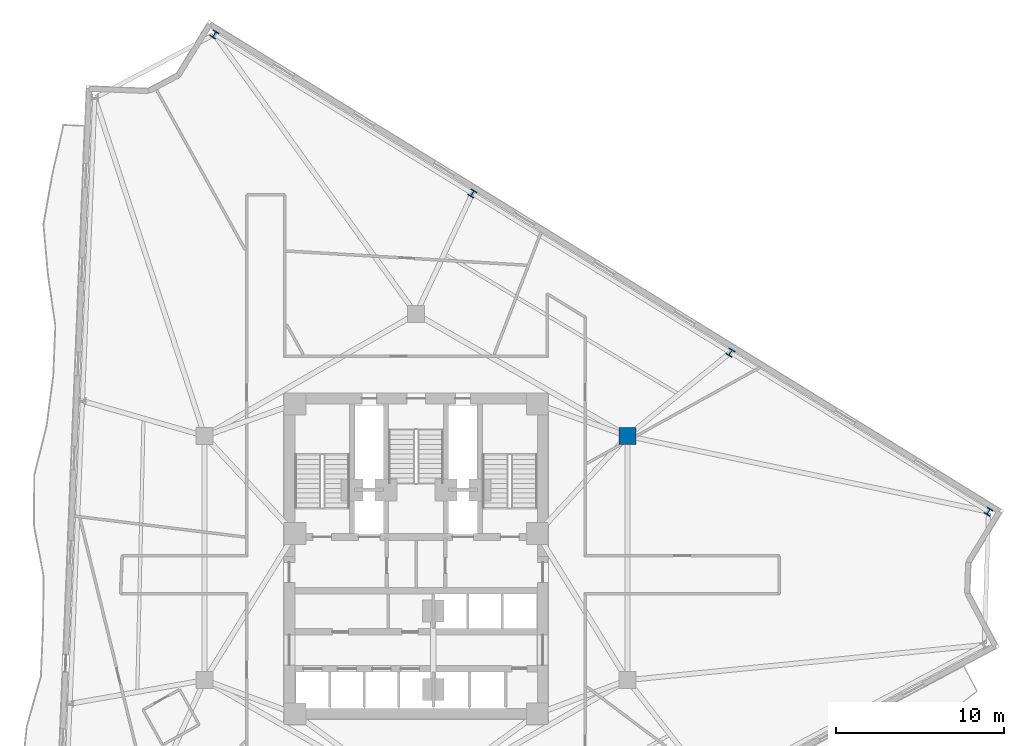
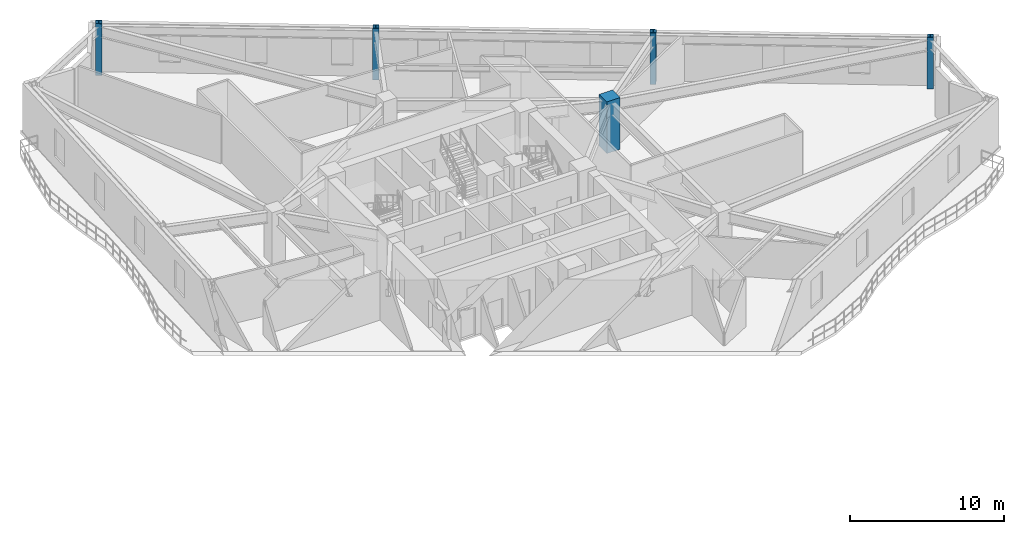
# One storey, part 2 of 11: 5 columns.
"""IFC4 building model written with IfcOpenShell, lengths in metres."""

from ifc_helpers import new_model, si_unit, direction, frame, origin, origin_2d, place, context, subcontext, project, spatial, rectangle, i_section, extrude, material, material_profile, profile_set, type_object, element, save


model = new_model("IFC4")

# Units and contexts
model_context = context("Model", 3, precision=1e-05, world=origin(), true_north=direction((0.0, 1.0)))
body_context = subcontext(model_context, "Body", "Model", "MODEL_VIEW")
ifc_project = project(units=[si_unit("LENGTHUNIT", "METRE"), si_unit("AREAUNIT", "SQUARE_METRE"), si_unit("VOLUMEUNIT", "CUBIC_METRE"), si_unit("PLANEANGLEUNIT", "RADIAN"), si_unit("MASSUNIT", "GRAM", prefix="KILO")], contexts=[model_context])

# Site, building, storey
site_placement = place(None, origin())
site = spatial("IfcSite", under=ifc_project, at=site_placement, CompositionType="ELEMENT")
building_placement = place(site_placement, origin())
building = spatial("IfcBuilding", under=site, at=building_placement, Name="Apsidion Concourse Tower", CompositionType="ELEMENT")
storey_placement = place(building_placement, frame((0.0, 0.0, 169.60009765625)))
storey = spatial("IfcBuildingStorey", under=building, at=storey_placement, Name="L39", CompositionType="ELEMENT", Elevation=169.60009765625)

# Columns
ifc_material_1 = material(Name="Concrete C50/60", Category="concrete")
ifc_material_profile_1 = material_profile(ifc_material_1, rectangle(XDim=1.0, YDim=1.0, at=origin_2d()), Name="RC 1000x1000")
ifc_profile_set_1 = profile_set([ifc_material_profile_1], Name="Concrete C50/60")
column_type_1 = type_object("IfcColumnType", Name="COL-RC-1000", PredefinedType="COLUMN", material=ifc_profile_set_1)
column_placement = place(storey_placement, frame((12.56005859375, 7.25, 0.0), z_axis=(0.0, 0.0, 1.0), x_axis=(1.0, 0.0, 0.0)))
element("IfcColumn", 1, at=column_placement, inside=storey, type_object=column_type_1, Name="L39 Interior Spine Column IC3", PredefinedType="COLUMN", context=body_context, shape_type="SweptSolid", body=[
    extrude(rectangle(XDim=1.0, YDim=1.0, at=origin_2d()), origin(), (0.0, 0.0, 1.0), 4.099853515625),
])
ifc_material_2 = material(Name="Structural steel ASTM A992 Grade 50", Category="steel")
ifc_material_profile_2 = material_profile(ifc_material_2, i_section(OverallWidth=0.406005859375, OverallDepth=0.4169921875, WebThickness=0.02978515625, FlangeThickness=0.048095703125, at=origin_2d()), Name="W14X257")
ifc_profile_set_2 = profile_set([ifc_material_profile_2], Name="Structural steel ASTM A992 Grade 50")
column_type_2 = type_object("IfcColumnType", Name="COL-W14-257", PredefinedType="COLUMN", material=ifc_profile_set_2)
for number, where, z_axis, x_axis, name in (
    (2, (34.010986328125, 2.751708984375, 0.0), (0.0, 0.0, 1.0), (-0.851269345923, 0.524728978323, 0.0), "L39 Rotated Perimeter Column PC09"),
    (3, (18.6787109375, 12.203369140625, 0.0), (0.0, 0.0, 1.0), (-0.851269345923, 0.524728978323, 0.0), "L39 Rotated Perimeter Column PC10"),
    (4, (3.346435546875, 21.655029296875, 0.0), (0.0, 0.0, 1.0), (-0.851269345923, 0.524728978323, 0.0), "L39 Rotated Perimeter Column PC11"),
    (5, (-11.98583984375, 31.106689453125, 0.0), (0.0, 0.0, 1.0), (-0.851269345923, 0.524728978323, 0.0), "L39 Rotated Perimeter Column PC12"),
):
    element("IfcColumn", number, at=place(storey_placement, frame(where, z_axis=z_axis, x_axis=x_axis)), inside=storey, type_object=column_type_2, Name=name, PredefinedType="COLUMN", context=body_context, shape_type="SweptSolid", body=[
        extrude(i_section(OverallWidth=0.406005859375, OverallDepth=0.4169921875, WebThickness=0.02978515625, FlangeThickness=0.048095703125, at=origin_2d()), origin(), (0.0, 0.0, 1.0), 4.099853515625),
    ])

save(model, "model.ifc")
